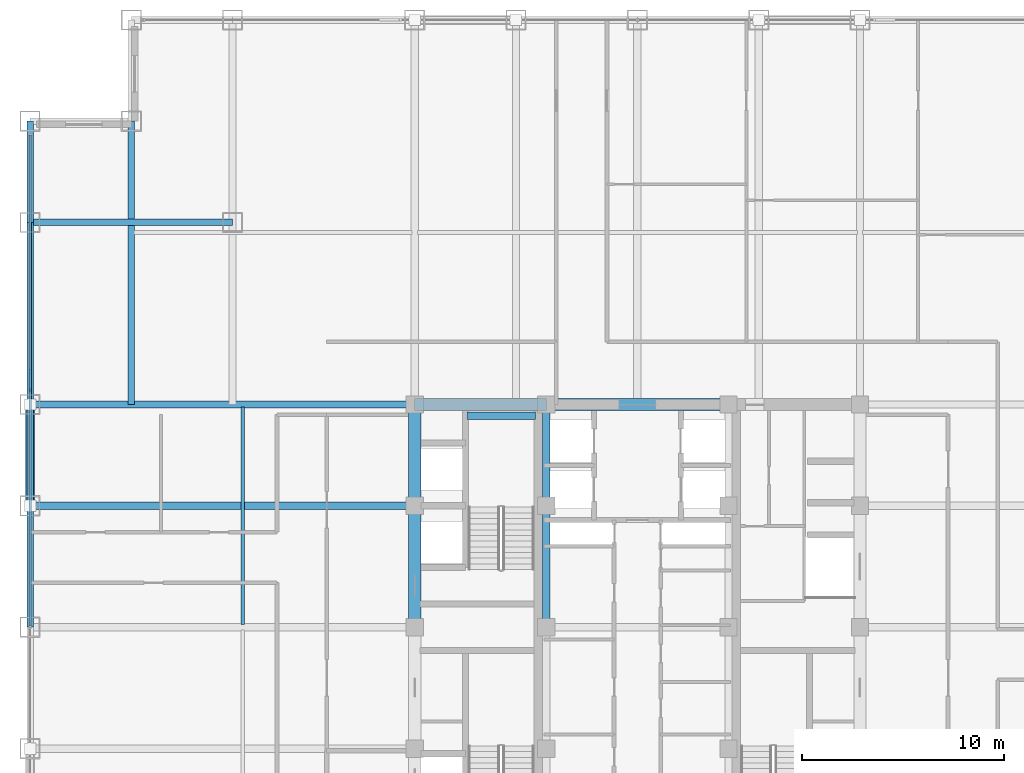
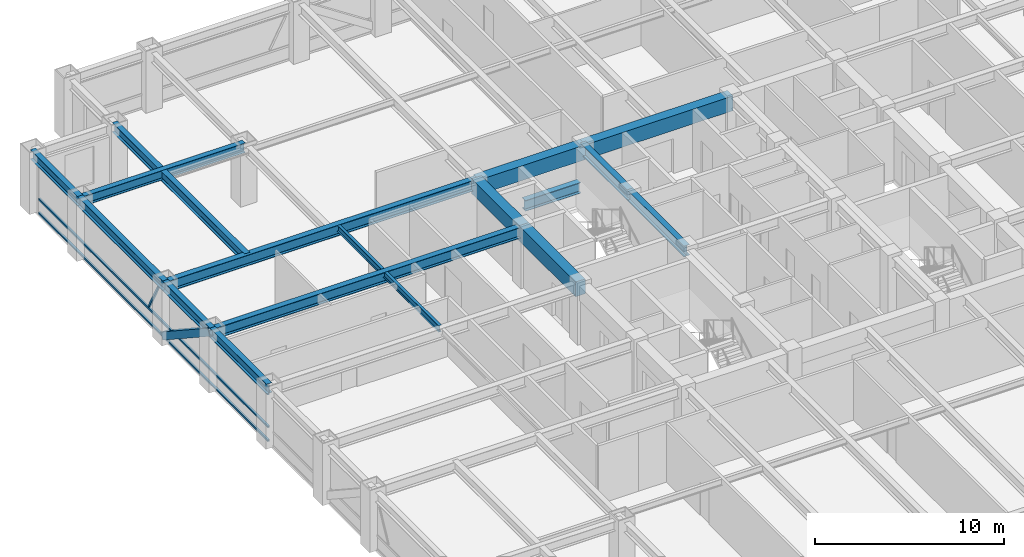
# One storey, part 11 of 25: 16 beams, 5 members, 1 element without a shape of its own.
"""IFC4 building model written with IfcOpenShell, lengths in metres."""

from ifc_helpers import new_model, si_unit, direction, frame, origin, origin_2d, place, context, subcontext, project, spatial, rectangle, hollow_rectangle, i_section, extrude, source, transform, mapped, material, material_profile, profile_set, type_object, element, aggregate, save


model = new_model("IFC4")

# Units and contexts
model_context = context("Model", 3, precision=1e-05, world=origin(), true_north=direction((0.0, 1.0)))
body_context = subcontext(model_context, "Body", "Model", "MODEL_VIEW")
ifc_project = project(units=[si_unit("LENGTHUNIT", "METRE"), si_unit("AREAUNIT", "SQUARE_METRE"), si_unit("VOLUMEUNIT", "CUBIC_METRE"), si_unit("PLANEANGLEUNIT", "RADIAN"), si_unit("MASSUNIT", "GRAM", prefix="KILO")], contexts=[model_context])

# Site, building, storey
site_placement = place(None, origin())
site = spatial("IfcSite", under=ifc_project, at=site_placement, CompositionType="ELEMENT")
building_placement = place(site_placement, origin())
building = spatial("IfcBuilding", under=site, at=building_placement, Name="Khorayat Bourse Tower", CompositionType="ELEMENT")
storey_placement = place(building_placement, frame((0.0, 0.0, 247.10009765625)))
storey = spatial("IfcBuildingStorey", under=building, at=storey_placement, Name="L58", CompositionType="ELEMENT", Elevation=247.10009765625)

# Beams
ifc_material_1 = material(Name="Steel ASTM A992 Grade 50", Category="steel")
ifc_material_profile_1 = material_profile(ifc_material_1, i_section(OverallWidth=0.35498046875, OverallDepth=0.695068359375, WebThickness=0.015380859375, FlangeThickness=0.02490234375, FilletRadius=0.01806640625, at=origin_2d()), Name="W690X217")
ifc_profile_set_1 = profile_set([ifc_material_profile_1], Name="Steel ASTM A992 Grade 50")
beam_type_1 = type_object("IfcBeamType", Name="BM-GIRD-690", PredefinedType="BEAM", material=ifc_profile_set_1)
shared_shape_1 = source(origin(), body_context, "Body", "SweptSolid", [
    extrude(i_section(OverallWidth=0.35498046875, OverallDepth=0.695068359375, WebThickness=0.015380859375, FlangeThickness=0.02490234375, FilletRadius=0.01806640625, at=origin_2d()), origin(), (0.0, 0.0, 1.0), 5.0),
])
beam_1_placement = place(storey_placement, frame((-4.5, 6.0, 3.432373046875), z_axis=(0.0, 1.0, 0.0), x_axis=(-1.0, 0.0, 0.0)))
element("IfcBeam", 1, at=beam_1_placement, inside=storey, type_object=beam_type_1, Name="L58 BM-GIRD-690 BM-L58-CRX-08", PredefinedType="BEAM", context=body_context, shape_type="MappedRepresentation", body=[
    mapped(shared_shape_1, transform((0.0, 0.0, 0.0), scale=1.0)),
])
shared_shape_2 = source(origin(), body_context, "Body", "SweptSolid", [
    extrude(i_section(OverallWidth=0.35498046875, OverallDepth=0.695068359375, WebThickness=0.015380859375, FlangeThickness=0.02490234375, FilletRadius=0.01806640625, at=origin_2d()), origin(), (0.0, 0.0, 1.0), 6.0),
])
beam_2_placement = place(storey_placement, frame((-4.5, 0.0, 3.432373046875), z_axis=(0.0, 1.0, 0.0), x_axis=(-1.0, 0.0, 0.0)))
element("IfcBeam", 2, at=beam_2_placement, inside=storey, type_object=beam_type_1, Name="L58 BM-GIRD-690 BM-L58-CRX-07", PredefinedType="BEAM", context=body_context, shape_type="MappedRepresentation", body=[
    mapped(shared_shape_2, transform((0.0, 0.0, 0.0), scale=1.0)),
])
shared_shape_3 = source(origin(), body_context, "Body", "SweptSolid", [
    extrude(i_section(OverallWidth=0.35498046875, OverallDepth=0.695068359375, WebThickness=0.015380859375, FlangeThickness=0.02490234375, FilletRadius=0.01806640625, at=origin_2d()), origin(), (0.0, 0.0, 1.0), 3.39990234375),
])
beam_3_placement = place(storey_placement, frame((-8.419921875, 10.449951171875, 1.452392578125), z_axis=(1.0, 0.0, 0.0), x_axis=(0.0, 1.0, 0.0)))
element("IfcBeam", 3, at=beam_3_placement, inside=storey, type_object=beam_type_1, Name="L58 BM-GIRD-690 BM-L58-ST2L", PredefinedType="BEAM", context=body_context, shape_type="MappedRepresentation", body=[
    mapped(shared_shape_3, transform((0.0, 0.0, 0.0), scale=1.0)),
])
ifc_material_profile_2 = material_profile(ifc_material_1, i_section(OverallWidth=0.324951171875, OverallDepth=0.615966796875, WebThickness=0.013916015625, FlangeThickness=0.021484375, FilletRadius=0.01611328125, at=origin_2d()), Name="W610X174")
ifc_profile_set_2 = profile_set([ifc_material_profile_2], Name="Steel ASTM A992 Grade 50")
beam_type_2 = type_object("IfcBeamType", Name="BM-GIRD-610", PredefinedType="BEAM", material=ifc_profile_set_2)
shared_shape_4 = source(origin(), body_context, "Body", "SweptSolid", [
    extrude(i_section(OverallWidth=0.324951171875, OverallDepth=0.615966796875, WebThickness=0.013916015625, FlangeThickness=0.021484375, FilletRadius=0.01611328125, at=origin_2d()), origin(), (0.0, 0.0, 1.0), 10.0),
])
beam_4_placement = place(storey_placement, frame((-30.0, 20.0, 3.471923828125), z_axis=(1.0, 0.0, 0.0), x_axis=(0.0, 1.0, 0.0)))
element("IfcBeam", 4, at=beam_4_placement, inside=storey, type_object=beam_type_2, Name="L58 BM-GIRD-610 BM-L58-CNRX-095", PredefinedType="BEAM", context=body_context, shape_type="MappedRepresentation", body=[
    mapped(shared_shape_4, transform((0.0, 0.0, 0.0), scale=1.0)),
])
ifc_material_profile_3 = material_profile(ifc_material_1, i_section(OverallWidth=0.180908203125, OverallDepth=0.4169921875, WebThickness=0.010986328125, FlangeThickness=0.018310546875, FilletRadius=0.011962890625, at=origin_2d()), Name="W410X85")
ifc_profile_set_3 = profile_set([ifc_material_profile_3], Name="Steel ASTM A992 Grade 50")
beam_type_3 = type_object("IfcBeamType", Name="BM-JOIST-410", PredefinedType="JOIST", material=ifc_profile_set_3)
shared_shape_5 = source(origin(), body_context, "Body", "SweptSolid", [
    extrude(i_section(OverallWidth=0.180908203125, OverallDepth=0.4169921875, WebThickness=0.010986328125, FlangeThickness=0.018310546875, FilletRadius=0.011962890625, at=origin_2d()), origin(), (0.0, 0.0, 1.0), 10.740234375),
])
beam_5_placement = place(storey_placement, frame((-19.5, 0.1298828125, 3.5712890625), z_axis=(0.0, 1.0, 0.0), x_axis=(-1.0, 0.0, 0.0)))
element("IfcBeam", 5, at=beam_5_placement, inside=storey, type_object=beam_type_3, Name="L58 BM-JOIST-410 BM-L58-JSTY-103", PredefinedType="JOIST", context=body_context, shape_type="MappedRepresentation", body=[
    mapped(shared_shape_5, transform((0.0, 0.0, 0.0), scale=1.0)),
])
ifc_material_profile_4 = material_profile(ifc_material_1, i_section(OverallWidth=0.324951171875, OverallDepth=0.615966796875, WebThickness=0.013916015625, FlangeThickness=0.021484375, FilletRadius=0.01611328125, at=origin_2d()), Name="W610X174")
ifc_profile_set_4 = profile_set([ifc_material_profile_4], Name="Steel ASTM A992 Grade 50")
beam_type_4 = type_object("IfcBeamType", Name="BM-SPAN-610", PredefinedType="SPANDREL", material=ifc_profile_set_4)
shared_shape_6 = source(origin(), body_context, "Body", "SweptSolid", [
    extrude(i_section(OverallWidth=0.324951171875, OverallDepth=0.615966796875, WebThickness=0.013916015625, FlangeThickness=0.021484375, FilletRadius=0.01611328125, at=origin_2d()), origin(), (0.0, 0.0, 1.0), 9.0),
])
beam_6_placement = place(storey_placement, frame((-30.0, 11.0, 3.471923828125), z_axis=(0.0, 1.0, 0.0), x_axis=(-1.0, 0.0, 0.0)))
element("IfcBeam", 6, at=beam_6_placement, inside=storey, type_object=beam_type_4, Name="L58 BM-SPAN-610 BM-L58-SPN-055", PredefinedType="SPANDREL", context=body_context, shape_type="MappedRepresentation", body=[
    mapped(shared_shape_6, transform((0.0, 0.0, 0.0), scale=1.0)),
])
shared_shape_7 = source(origin(), body_context, "Body", "SweptSolid", [
    extrude(i_section(OverallWidth=0.324951171875, OverallDepth=0.615966796875, WebThickness=0.013916015625, FlangeThickness=0.021484375, FilletRadius=0.01611328125, at=origin_2d()), origin(), (0.0, 0.0, 1.0), 5.0),
])
for number, where, z_axis, x_axis, name in (
    (7, (-30.0, 20.0, 3.471923828125), (0.0, 1.0, 0.0), (-1.0, 0.0, 0.0), "L58 BM-SPAN-610 BM-L58-SPN-054"),
    (8, (-30.0, 6.0, 3.471923828125), (0.0, 1.0, 0.0), (-1.0, 0.0, 0.0), "L58 BM-SPAN-610 BM-L58-SPN-056"),
):
    element("IfcBeam", number, at=place(storey_placement, frame(where, z_axis=z_axis, x_axis=x_axis)), inside=storey, type_object=beam_type_4, Name=name, PredefinedType="SPANDREL", context=body_context, shape_type="MappedRepresentation", body=[
        mapped(shared_shape_7, transform((0.0, 0.0, 0.0), scale=1.0)),
    ])
shared_shape_8 = source(origin(), body_context, "Body", "SweptSolid", [
    extrude(i_section(OverallWidth=0.324951171875, OverallDepth=0.615966796875, WebThickness=0.013916015625, FlangeThickness=0.021484375, FilletRadius=0.01611328125, at=origin_2d()), origin(), (0.0, 0.0, 1.0), 6.0),
])
beam_7_placement = place(storey_placement, frame((-30.0, 0.0, 3.471923828125), z_axis=(0.0, 1.0, 0.0), x_axis=(-1.0, 0.0, 0.0)))
element("IfcBeam", 9, at=beam_7_placement, inside=storey, type_object=beam_type_4, Name="L58 BM-SPAN-610 BM-L58-SPN-057", PredefinedType="SPANDREL", context=body_context, shape_type="MappedRepresentation", body=[
    mapped(shared_shape_8, transform((0.0, 0.0, 0.0), scale=1.0)),
])
ifc_material_2 = material(Name="Concrete C60/75", Category="concrete")
ifc_material_profile_5 = material_profile(ifc_material_2, rectangle(XDim=0.60009765625, YDim=0.949951171875, at=origin_2d()), Name="RC 600x950")
ifc_profile_set_5 = profile_set([ifc_material_profile_5], Name="Concrete C60/75")
beam_type_5 = type_object("IfcBeamType", Name="BM-COUP-950", PredefinedType="BEAM", material=ifc_profile_set_5)
shared_shape_9 = source(origin(), body_context, "Body", "SweptSolid", [
    extrude(rectangle(XDim=0.60009765625, YDim=0.949951171875, at=origin_2d()), origin(), (0.0, 0.0, 1.0), 5.0),
])
beam_8_placement = place(storey_placement, frame((-11.0, 6.0, 3.304931640625), z_axis=(0.0, 1.0, 0.0), x_axis=(-1.0, 0.0, 0.0)))
element("IfcBeam", 10, at=beam_8_placement, inside=storey, type_object=beam_type_5, Name="L58 BM-COUP-950 BM-L58-CRX-04", PredefinedType="BEAM", context=body_context, shape_type="MappedRepresentation", body=[
    mapped(shared_shape_9, transform((0.0, 0.0, 0.0), scale=1.0)),
])
shared_shape_10 = source(origin(), body_context, "Body", "SweptSolid", [
    extrude(rectangle(XDim=0.60009765625, YDim=0.949951171875, at=origin_2d()), origin(), (0.0, 0.0, 1.0), 6.0),
])
beam_9_placement = place(storey_placement, frame((-11.0, 0.0, 3.304931640625), z_axis=(0.0, 1.0, 0.0), x_axis=(-1.0, 0.0, 0.0)))
element("IfcBeam", 11, at=beam_9_placement, inside=storey, type_object=beam_type_5, Name="L58 BM-COUP-950 BM-L58-CRX-03", PredefinedType="BEAM", context=body_context, shape_type="MappedRepresentation", body=[
    mapped(shared_shape_10, transform((0.0, 0.0, 0.0), scale=1.0)),
])
shared_shape_11 = source(origin(), body_context, "Body", "SweptSolid", [
    extrude(rectangle(XDim=0.60009765625, YDim=0.949951171875, at=origin_2d()), origin(), (0.0, 0.0, 1.0), 6.5),
])
beam_10_placement = place(storey_placement, frame((-11.0, 11.0, 3.304931640625), z_axis=(1.0, 0.0, 0.0), x_axis=(0.0, 1.0, 0.0)))
element("IfcBeam", 12, at=beam_10_placement, inside=storey, type_object=beam_type_5, Name="L58 BM-COUP-950 BM-L58-CRY-20", PredefinedType="BEAM", context=body_context, shape_type="MappedRepresentation", body=[
    mapped(shared_shape_11, transform((0.0, 0.0, 0.0), scale=1.0)),
])
shared_shape_12 = source(origin(), body_context, "Body", "SweptSolid", [
    extrude(rectangle(XDim=0.60009765625, YDim=0.949951171875, at=origin_2d()), origin(), (0.0, 0.0, 1.0), 9.0),
])
beam_11_placement = place(storey_placement, frame((-4.5, 11.0, 3.304931640625), z_axis=(1.0, 0.0, 0.0), x_axis=(0.0, 1.0, 0.0)))
element("IfcBeam", 13, at=beam_11_placement, inside=storey, type_object=beam_type_5, Name="L58 BM-COUP-950 BM-L58-CRY-21", PredefinedType="BEAM", context=body_context, shape_type="MappedRepresentation", body=[
    mapped(shared_shape_12, transform((0.0, 0.0, 0.0), scale=1.0)),
])
shared_shape_13 = source(origin(), body_context, "Body", "SweptSolid", [
    extrude(i_section(OverallWidth=0.35498046875, OverallDepth=0.695068359375, WebThickness=0.015380859375, FlangeThickness=0.02490234375, FilletRadius=0.01806640625, at=origin_2d()), origin(), (0.0, 0.0, 1.0), 19.0),
])
for number, where, z_axis, x_axis, name in (
    (14, (-30.0, 6.0, 3.432373046875), (1.0, 0.0, 0.0), (0.0, 1.0, 0.0), "L58 BM-GIRD-690 BM-L58-RADX-081"),
    (15, (-30.0, 11.0, 3.432373046875), (1.0, 0.0, 0.0), (0.0, 1.0, 0.0), "L58 BM-GIRD-690 BM-L58-RADX-083"),
):
    element("IfcBeam", number, at=place(storey_placement, frame(where, z_axis=z_axis, x_axis=x_axis)), inside=storey, type_object=beam_type_1, Name=name, PredefinedType="BEAM", context=body_context, shape_type="MappedRepresentation", body=[
        mapped(shared_shape_13, transform((0.0, 0.0, 0.0), scale=1.0)),
    ])
shared_shape_14 = source(origin(), body_context, "Body", "SweptSolid", [
    extrude(i_section(OverallWidth=0.324951171875, OverallDepth=0.615966796875, WebThickness=0.013916015625, FlangeThickness=0.021484375, FilletRadius=0.01611328125, at=origin_2d()), origin(), (0.0, 0.0, 1.0), 14.0),
])
beam_12_placement = place(storey_placement, frame((-25.0, 11.0, 3.471923828125), z_axis=(0.0, 1.0, 0.0), x_axis=(-1.0, 0.0, 0.0)))
element("IfcBeam", 16, at=beam_12_placement, inside=storey, type_object=beam_type_2, Name="L58 BM-GIRD-610 BM-L58-CNRY-089", PredefinedType="BEAM", context=body_context, shape_type="MappedRepresentation", body=[
    mapped(shared_shape_14, transform((0.0, 0.0, 0.0), scale=1.0)),
])

# Member
ifc_material_3 = material(Name="Steel EN 10025-4 S460M", Category="steel")
ifc_material_profile_6 = material_profile(ifc_material_3, hollow_rectangle(XDim=0.449951171875, YDim=0.449951171875, WallThickness=0.02490234375, at=origin_2d()), Name="HSS 450x450x25")
ifc_profile_set_6 = profile_set([ifc_material_profile_6], Name="Steel EN 10025-4 S460M")
member_type_1 = type_object("IfcMemberType", Name="MBR-TUBE-450", PredefinedType="BRACE", material=ifc_profile_set_6)
shared_shape_15 = source(origin(), body_context, "Body", "SweptSolid", [
    extrude(hollow_rectangle(XDim=0.449951171875, YDim=0.449951171875, WallThickness=0.02490234375, at=origin_2d()), origin(), (0.0, 0.0, 1.0), 5.979736328125),
])
member_1_placement = place(storey_placement, frame((-30.0, 6.0, 3.52978515625), z_axis=(0.0, 0.836160261256, -0.548485202623), x_axis=(-1.0, 0.0, 0.0)))
element("IfcMember", 17, at=member_1_placement, inside=storey, type_object=member_type_1, Name="L58 Perimeter Tube Brace 06", PredefinedType="BRACE", context=body_context, shape_type="MappedRepresentation", body=[
    mapped(shared_shape_15, transform((0.0, 0.0, 0.0), scale=1.0)),
])

# Curtain wall, members
ifc_material_4 = material(Name="Aluminium EN AW-6063 T6", Category="aluminium")
curtain_wall_type = type_object("IfcCurtainWallType", Name="CW-SYS-03", PredefinedType="NOTDEFINED", material=ifc_material_4)
curtain_wall_placement = place(storey_placement, origin())
curtain_wall = element("IfcCurtainWall", 18, at=curtain_wall_placement, inside=storey, type_object=curtain_wall_type, Name="L58 Curtain Wall CW-L58-W1", PredefinedType="NOTDEFINED")
ifc_material_profile_7 = material_profile(ifc_material_4, hollow_rectangle(XDim=0.1201171875, YDim=0.1201171875, WallThickness=0.0048828125, at=origin_2d()), Name="ALU 120x120x5")
ifc_profile_set_7 = profile_set([ifc_material_profile_7], Name="Aluminium EN AW-6063 T6")
member_type_2 = type_object("IfcMemberType", Name="CWM-DIAG-120", PredefinedType="MULLION", material=ifc_profile_set_7)
shared_shape_16 = source(origin(), body_context, "Body", "SweptSolid", [
    extrude(hollow_rectangle(XDim=0.1201171875, YDim=0.1201171875, WallThickness=0.0048828125, at=origin_2d()), origin(), (0.0, 0.0, 1.0), 2.079345703125),
])
member_2_placement = place(storey_placement, frame((-30.0, 12.67919921875, 1.08984375), z_axis=(0.0, -0.465760949701, 0.884910581773), x_axis=(1.0, 0.0, 0.0)))
member_2 = element("IfcMember", 19, at=member_2_placement, type_object=member_type_2, Name="CW-L58-W1 Faceted Diagonal Mullion 2", PredefinedType="MULLION", context=body_context, shape_type="MappedRepresentation", body=[
    mapped(shared_shape_16, transform((0.0, 0.0, 0.0), scale=1.0)),
])
ifc_material_profile_8 = material_profile(ifc_material_4, hollow_rectangle(XDim=0.1201171875, YDim=0.1201171875, WallThickness=0.0048828125, at=origin_2d()), Name="ALU 120x120x5")
ifc_profile_set_8 = profile_set([ifc_material_profile_8], Name="Aluminium EN AW-6063 T6")
member_type_3 = type_object("IfcMemberType", Name="CWT-HORZ-120", PredefinedType="USERDEFINED", material=ifc_profile_set_8)
shared_shape_17 = source(origin(), body_context, "Body", "SweptSolid", [
    extrude(hollow_rectangle(XDim=0.1201171875, YDim=0.1201171875, WallThickness=0.0048828125, at=origin_2d()), origin(), (0.0, 0.0, 1.0), 24.27001953125),
])
member_3_placement = place(storey_placement, frame((-30.0, 0.06005859375, 0.059814453125), z_axis=(0.0, 1.0, 0.0), x_axis=(-1.0, 0.0, 0.0)))
member_3 = element("IfcMember", 20, at=member_3_placement, type_object=member_type_3, Name="CW-L58-W1 Horizontal Transom 2-1", ObjectType="TRANSOM", PredefinedType="USERDEFINED", context=body_context, shape_type="MappedRepresentation", body=[
    mapped(shared_shape_17, transform((0.0, 0.0, 0.0), scale=1.0)),
])
member_4_placement = place(storey_placement, frame((-30.0, 0.06005859375, 0.949951171875), z_axis=(0.0, 1.0, 0.0), x_axis=(-1.0, 0.0, 0.0)))
member_4 = element("IfcMember", 21, at=member_4_placement, type_object=member_type_3, Name="CW-L58-W1 Horizontal Transom 2-2", ObjectType="TRANSOM", PredefinedType="USERDEFINED", context=body_context, shape_type="MappedRepresentation", body=[
    mapped(shared_shape_17, transform((0.0, 0.0, 0.0), scale=1.0)),
])
member_5_placement = place(storey_placement, frame((-30.0, 0.06005859375, 3.06982421875), z_axis=(0.0, 1.0, 0.0), x_axis=(-1.0, 0.0, 0.0)))
member_5 = element("IfcMember", 22, at=member_5_placement, type_object=member_type_3, Name="CW-L58-W1 Horizontal Transom 2-3", ObjectType="TRANSOM", PredefinedType="USERDEFINED", context=body_context, shape_type="MappedRepresentation", body=[
    mapped(shared_shape_17, transform((0.0, 0.0, 0.0), scale=1.0)),
])
aggregate(curtain_wall, [member_3, member_4, member_5, member_2])

save(model, "model.ifc")
